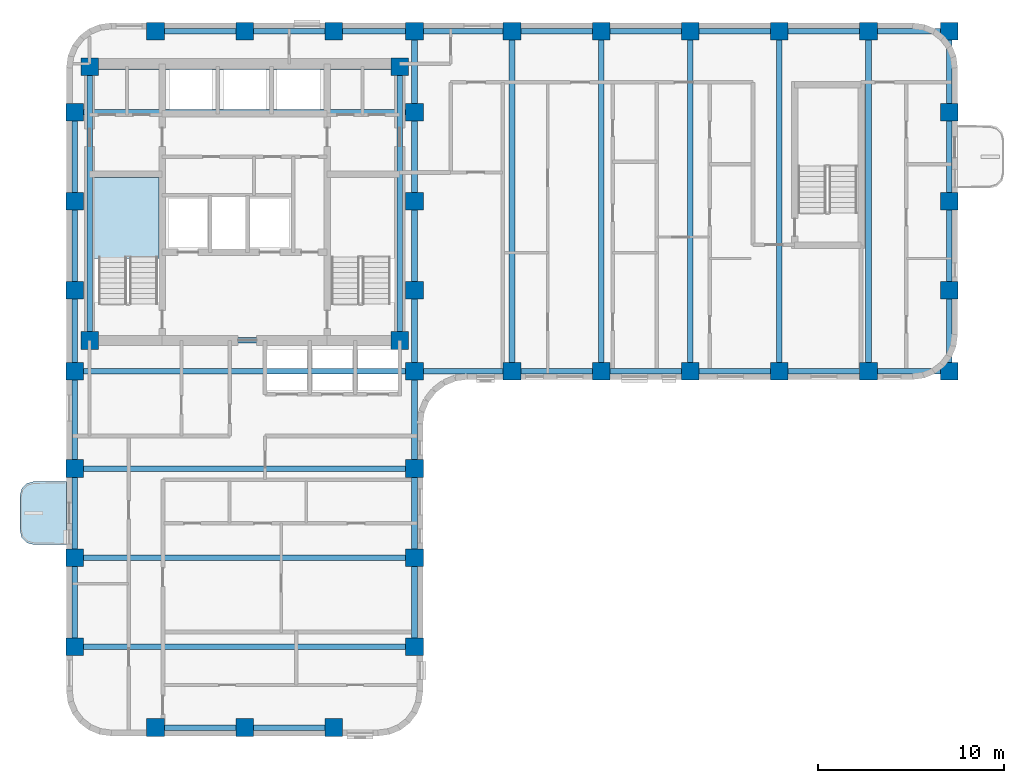
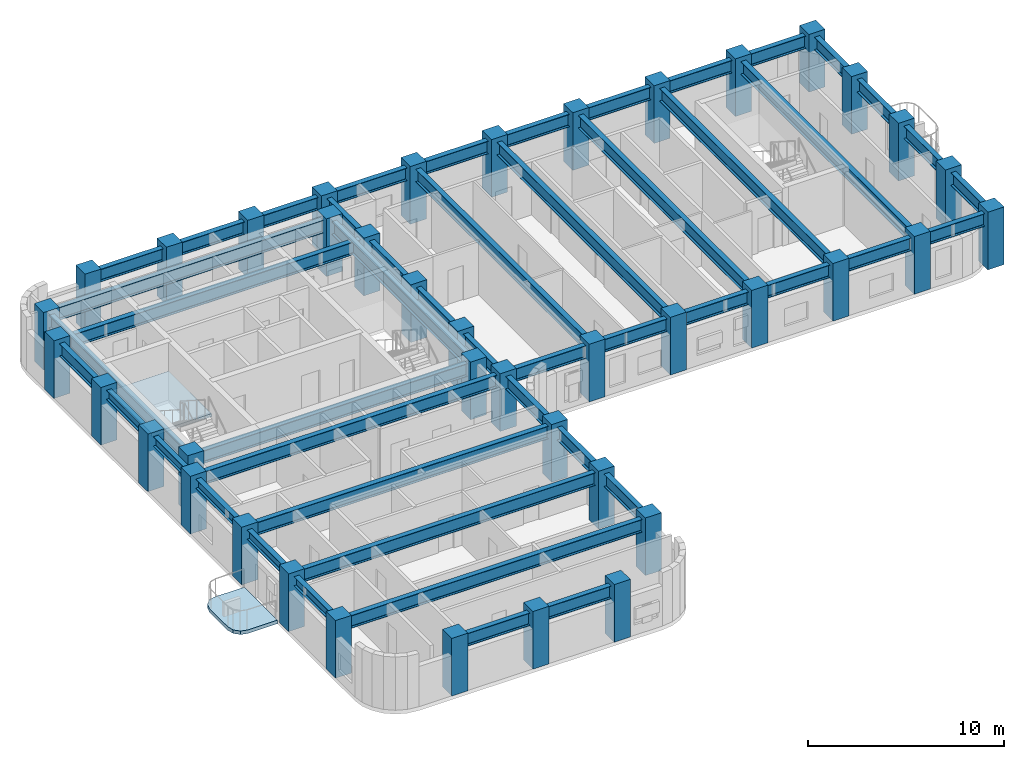
# One storey, part 1 of 10: 48 beams, 40 columns, 2 slabs, 1 element without a shape of its own.
"""IFC4 building model written with IfcOpenShell, lengths in metres."""

from ifc_helpers import new_model, si_unit, direction, frame, origin, origin_2d, place, context, subcontext, project, spatial, polyline, rectangle, i_section, outline, extrude, material, layer, layer_set, material_profile, profile_set, type_object, element, aggregate, save


model = new_model("IFC4")

# Units and contexts
model_context = context("Model", 3, precision=1e-05, world=origin(), true_north=direction((0.0, 1.0)))
body_context = subcontext(model_context, "Body", "Model", "MODEL_VIEW")
ifc_project = project(units=[si_unit("LENGTHUNIT", "METRE"), si_unit("AREAUNIT", "SQUARE_METRE"), si_unit("VOLUMEUNIT", "CUBIC_METRE"), si_unit("PLANEANGLEUNIT", "RADIAN"), si_unit("MASSUNIT", "GRAM", prefix="KILO")], contexts=[model_context])

# Site, building, storey
site_placement = place(None, origin())
site = spatial("IfcSite", under=ifc_project, at=site_placement, CompositionType="ELEMENT")
building_placement = place(site_placement, origin())
building = spatial("IfcBuilding", under=site, at=building_placement, Name="Orvandelia Arch Residences", CompositionType="ELEMENT")
storey_placement = place(building_placement, frame((0.0, 0.0, 150.39990234375)))
storey = spatial("IfcBuildingStorey", under=building, at=storey_placement, Name="L39", CompositionType="ELEMENT", Elevation=150.39990234375)

# Columns
ifc_material_1 = material(Name="Concrete C60/75", Category="concrete")
ifc_material_profile_1 = material_profile(ifc_material_1, rectangle(XDim=0.949951171875, YDim=0.949951171875, at=origin_2d()), Name="Concrete C60/75", Category="concrete")
ifc_profile_set_1 = profile_set([ifc_material_profile_1], Name="Concrete C60/75")
column_type = type_object("IfcColumnType", Name="COL-TWR-950", PredefinedType="COLUMN", material=ifc_profile_set_1)
for number, where, z_axis, x_axis, name in (
    (1, (5.25, 14.39990234375, 0.0), (0.0, 0.0, 1.0), (1.0, 0.0, 0.0), "Structural Column L39-W-W-144"),
    (2, (5.25, 19.199951171875, 0.0), (0.0, 0.0, 1.0), (1.0, 0.0, 0.0), "Structural Column L39-W-W-192"),
    (3, (5.25, 24.0, 0.0), (0.0, 0.0, 1.0), (1.0, 0.0, 0.0), "Structural Column L39-W-W-240"),
    (4, (5.25, 29.25, 0.0), (0.0, 0.0, 1.0), (1.0, 0.0, 0.0), "Structural Column L39-W-W-292"),
    (5, (5.25, 33.60009765625, 0.0), (0.0, 0.0, 1.0), (1.0, 0.0, 0.0), "Structural Column L39-W-W-336"),
    (6, (5.25, 38.39990234375, 0.0), (0.0, 0.0, 1.0), (1.0, 0.0, 0.0), "Structural Column L39-W-W-384"),
    (7, (5.25, 43.199951171875, 0.0), (0.0, 0.0, 1.0), (1.0, 0.0, 0.0), "Structural Column L39-W-W-432"),
    (8, (6.050048828125, 30.89990234375, 0.0), (0.0, 0.0, 1.0), (1.0, 0.0, 0.0), "Structural Column L39-CR-SW"),
    (9, (6.050048828125, 45.64990234375, 0.0), (0.0, 0.0, 1.0), (1.0, 0.0, 0.0), "Structural Column L39-CR-NW"),
    (10, (9.60009765625, 10.050048828125, 0.0), (0.0, 0.0, 1.0), (1.0, 0.0, 0.0), "Structural Column L39-W-S-96"),
    (11, (9.60009765625, 47.550048828125, 0.0), (0.0, 0.0, 1.0), (1.0, 0.0, 0.0), "Structural Column L39-W-N-96"),
    (12, (14.39990234375, 10.050048828125, 0.0), (0.0, 0.0, 1.0), (1.0, 0.0, 0.0), "Structural Column L39-W-S-144"),
    (13, (14.39990234375, 47.550048828125, 0.0), (0.0, 0.0, 1.0), (1.0, 0.0, 0.0), "Structural Column L39-W-N-144"),
    (14, (19.199951171875, 10.050048828125, 0.0), (0.0, 0.0, 1.0), (1.0, 0.0, 0.0), "Structural Column L39-W-S-192"),
    (15, (19.199951171875, 47.550048828125, 0.0), (0.0, 0.0, 1.0), (1.0, 0.0, 0.0), "Structural Column L39-W-N-192"),
    (16, (22.75, 30.89990234375, 0.0), (0.0, 0.0, 1.0), (1.0, 0.0, 0.0), "Structural Column L39-CR-SE"),
    (17, (22.75, 45.64990234375, 0.0), (0.0, 0.0, 1.0), (1.0, 0.0, 0.0), "Structural Column L39-CR-NE"),
    (18, (23.550048828125, 14.39990234375, 0.0), (0.0, 0.0, 1.0), (1.0, 0.0, 0.0), "Structural Column L39-W-E-144"),
    (19, (23.550048828125, 19.199951171875, 0.0), (0.0, 0.0, 1.0), (1.0, 0.0, 0.0), "Structural Column L39-W-E-192"),
    (20, (23.550048828125, 24.0, 0.0), (0.0, 0.0, 1.0), (1.0, 0.0, 0.0), "Structural Column L39-W-E-240"),
    (21, (23.550048828125, 29.25, 0.0), (0.0, 0.0, 1.0), (1.0, 0.0, 0.0), "Structural Column L39-W-E-292"),
    (22, (23.550048828125, 33.60009765625, 0.0), (0.0, 0.0, 1.0), (1.0, 0.0, 0.0), "Structural Column L39-W-E-336"),
    (23, (23.550048828125, 38.39990234375, 0.0), (0.0, 0.0, 1.0), (1.0, 0.0, 0.0), "Structural Column L39-W-E-384"),
    (24, (23.550048828125, 43.199951171875, 0.0), (0.0, 0.0, 1.0), (1.0, 0.0, 0.0), "Structural Column L39-W-E-432"),
    (25, (23.550048828125, 47.550048828125, 0.0), (0.0, 0.0, 1.0), (1.0, 0.0, 0.0), "Structural Column L39-W-N-235"),
    (26, (28.800048828125, 29.25, 0.0), (0.0, 0.0, 1.0), (1.0, 0.0, 0.0), "Structural Column L39-E-S-288"),
    (27, (28.800048828125, 47.550048828125, 0.0), (0.0, 0.0, 1.0), (1.0, 0.0, 0.0), "Structural Column L39-E-N-288"),
    (28, (33.60009765625, 29.25, 0.0), (0.0, 0.0, 1.0), (1.0, 0.0, 0.0), "Structural Column L39-E-S-336"),
    (29, (33.60009765625, 47.550048828125, 0.0), (0.0, 0.0, 1.0), (1.0, 0.0, 0.0), "Structural Column L39-E-N-336"),
    (30, (38.39990234375, 29.25, 0.0), (0.0, 0.0, 1.0), (1.0, 0.0, 0.0), "Structural Column L39-E-S-384"),
    (31, (38.39990234375, 47.550048828125, 0.0), (0.0, 0.0, 1.0), (1.0, 0.0, 0.0), "Structural Column L39-E-N-384"),
    (32, (43.199951171875, 29.25, 0.0), (0.0, 0.0, 1.0), (1.0, 0.0, 0.0), "Structural Column L39-E-S-432"),
    (33, (43.199951171875, 47.550048828125, 0.0), (0.0, 0.0, 1.0), (1.0, 0.0, 0.0), "Structural Column L39-E-N-432"),
    (34, (48.0, 29.25, 0.0), (0.0, 0.0, 1.0), (1.0, 0.0, 0.0), "Structural Column L39-E-S-480"),
    (35, (48.0, 47.550048828125, 0.0), (0.0, 0.0, 1.0), (1.0, 0.0, 0.0), "Structural Column L39-E-N-480"),
    (36, (52.35009765625, 29.25, 0.0), (0.0, 0.0, 1.0), (1.0, 0.0, 0.0), "Structural Column L39-E-S-523"),
    (37, (52.35009765625, 33.60009765625, 0.0), (0.0, 0.0, 1.0), (1.0, 0.0, 0.0), "Structural Column L39-E-523-336"),
    (38, (52.35009765625, 38.39990234375, 0.0), (0.0, 0.0, 1.0), (1.0, 0.0, 0.0), "Structural Column L39-E-523-384"),
    (39, (52.35009765625, 43.199951171875, 0.0), (0.0, 0.0, 1.0), (1.0, 0.0, 0.0), "Structural Column L39-E-523-432"),
    (40, (52.35009765625, 47.550048828125, 0.0), (0.0, 0.0, 1.0), (1.0, 0.0, 0.0), "Structural Column L39-E-N-523"),
):
    element("IfcColumn", number, at=place(storey_placement, frame(where, z_axis=z_axis, x_axis=x_axis)), inside=storey, type_object=column_type, Name=name, PredefinedType="COLUMN", context=body_context, shape_type="SweptSolid", body=[
        extrude(rectangle(XDim=0.949951171875, YDim=0.949951171875, at=origin_2d()), origin(), (0.0, 0.0, 1.0), 3.60009765625),
    ])

# Beams
ifc_material_2 = material(Name="Structural Steel SM355 (355 MPa)", Category="steel")
ifc_material_profile_2 = material_profile(ifc_material_2, i_section(OverallWidth=0.300048828125, OverallDepth=0.800048828125, WebThickness=0.013916015625, FlangeThickness=0.02587890625, FilletRadius=0.02587890625, at=origin_2d()), Name="Structural Steel SM355 (355 MPa)", Category="steel")
ifc_profile_set_2 = profile_set([ifc_material_profile_2], Name="Structural Steel SM355 (355 MPa)")
beam_type_1 = type_object("IfcBeamType", Name="BM-GRD-H800", PredefinedType="BEAM", material=ifc_profile_set_2)
beam_1_placement = place(storey_placement, frame((5.25, 38.39990234375, 2.920166015625), z_axis=(0.0, 1.0, 0.0), x_axis=(-1.0, 0.0, 0.0)))
element("IfcBeam", 41, at=beam_1_placement, inside=storey, type_object=beam_type_1, Name="Structural Frame Beam L39-NS-006", PredefinedType="BEAM", context=body_context, shape_type="SweptSolid", body=[
    extrude(i_section(OverallWidth=0.300048828125, OverallDepth=0.800048828125, WebThickness=0.013916015625, FlangeThickness=0.02587890625, FilletRadius=0.02587890625, at=origin_2d()), origin(), (0.0, 0.0, 1.0), 4.800048828125),
])
for number, where, z_axis, x_axis, name in (
    (42, (6.050048828125, 30.89990234375, 2.920166015625), (0.0, 1.0, 0.0), (-1.0, 0.0, 0.0), "Structural Frame Beam L39-NS-007"),
    (43, (22.75, 30.89990234375, 2.920166015625), (0.0, 1.0, 0.0), (-1.0, 0.0, 0.0), "Structural Frame Beam L39-NS-008"),
):
    element("IfcBeam", number, at=place(storey_placement, frame(where, z_axis=z_axis, x_axis=x_axis)), inside=storey, type_object=beam_type_1, Name=name, PredefinedType="BEAM", context=body_context, shape_type="SweptSolid", body=[
        extrude(i_section(OverallWidth=0.300048828125, OverallDepth=0.800048828125, WebThickness=0.013916015625, FlangeThickness=0.02587890625, FilletRadius=0.02587890625, at=origin_2d()), origin(), (0.0, 0.0, 1.0), 14.75),
    ])
for number, where, z_axis, x_axis, name in (
    (44, (23.550048828125, 14.39990234375, 2.920166015625), (0.0, 1.0, 0.0), (-1.0, 0.0, 0.0), "Structural Frame Beam L39-NS-009"),
    (45, (23.550048828125, 19.199951171875, 2.920166015625), (0.0, 1.0, 0.0), (-1.0, 0.0, 0.0), "Structural Frame Beam L39-NS-010"),
):
    element("IfcBeam", number, at=place(storey_placement, frame(where, z_axis=z_axis, x_axis=x_axis)), inside=storey, type_object=beam_type_1, Name=name, PredefinedType="BEAM", context=body_context, shape_type="SweptSolid", body=[
        extrude(i_section(OverallWidth=0.300048828125, OverallDepth=0.800048828125, WebThickness=0.013916015625, FlangeThickness=0.02587890625, FilletRadius=0.02587890625, at=origin_2d()), origin(), (0.0, 0.0, 1.0), 4.800048828125),
    ])
beam_2_placement = place(storey_placement, frame((23.550048828125, 24.0, 2.920166015625), z_axis=(0.0, 1.0, 0.0), x_axis=(-1.0, 0.0, 0.0)))
element("IfcBeam", 46, at=beam_2_placement, inside=storey, type_object=beam_type_1, Name="Structural Frame Beam L39-NS-011", PredefinedType="BEAM", context=body_context, shape_type="SweptSolid", body=[
    extrude(i_section(OverallWidth=0.300048828125, OverallDepth=0.800048828125, WebThickness=0.013916015625, FlangeThickness=0.02587890625, FilletRadius=0.02587890625, at=origin_2d()), origin(), (0.0, 0.0, 1.0), 5.25),
])
beam_3_placement = place(storey_placement, frame((23.550048828125, 29.25, 2.920166015625), z_axis=(0.0, 1.0, 0.0), x_axis=(-1.0, 0.0, 0.0)))
element("IfcBeam", 47, at=beam_3_placement, inside=storey, type_object=beam_type_1, Name="Structural Frame Beam L39-NS-012", PredefinedType="BEAM", context=body_context, shape_type="SweptSolid", body=[
    extrude(i_section(OverallWidth=0.300048828125, OverallDepth=0.800048828125, WebThickness=0.013916015625, FlangeThickness=0.02587890625, FilletRadius=0.02587890625, at=origin_2d()), origin(), (0.0, 0.0, 1.0), 4.35009765625),
])
beam_4_placement = place(storey_placement, frame((23.550048828125, 33.60009765625, 2.920166015625), z_axis=(0.0, 1.0, 0.0), x_axis=(-1.0, 0.0, 0.0)))
element("IfcBeam", 48, at=beam_4_placement, inside=storey, type_object=beam_type_1, Name="Structural Frame Beam L39-NS-013", PredefinedType="BEAM", context=body_context, shape_type="SweptSolid", body=[
    extrude(i_section(OverallWidth=0.300048828125, OverallDepth=0.800048828125, WebThickness=0.013916015625, FlangeThickness=0.02587890625, FilletRadius=0.02587890625, at=origin_2d()), origin(), (0.0, 0.0, 1.0), 4.7998046875),
])
beam_5_placement = place(storey_placement, frame((23.550048828125, 38.39990234375, 2.920166015625), z_axis=(0.0, 1.0, 0.0), x_axis=(-1.0, 0.0, 0.0)))
element("IfcBeam", 49, at=beam_5_placement, inside=storey, type_object=beam_type_1, Name="Structural Frame Beam L39-NS-014", PredefinedType="BEAM", context=body_context, shape_type="SweptSolid", body=[
    extrude(i_section(OverallWidth=0.300048828125, OverallDepth=0.800048828125, WebThickness=0.013916015625, FlangeThickness=0.02587890625, FilletRadius=0.02587890625, at=origin_2d()), origin(), (0.0, 0.0, 1.0), 4.800048828125),
])
beam_6_placement = place(storey_placement, frame((23.550048828125, 43.199951171875, 2.920166015625), z_axis=(0.0, 1.0, 0.0), x_axis=(-1.0, 0.0, 0.0)))
element("IfcBeam", 50, at=beam_6_placement, inside=storey, type_object=beam_type_1, Name="Structural Frame Beam L39-NS-015", PredefinedType="BEAM", context=body_context, shape_type="SweptSolid", body=[
    extrude(i_section(OverallWidth=0.300048828125, OverallDepth=0.800048828125, WebThickness=0.013916015625, FlangeThickness=0.02587890625, FilletRadius=0.02587890625, at=origin_2d()), origin(), (0.0, 0.0, 1.0), 4.35009765625),
])
for number, where, z_axis, x_axis, name in (
    (51, (28.800048828125, 29.25, 2.920166015625), (0.0, 1.0, 0.0), (-1.0, 0.0, 0.0), "Structural Frame Beam L39-NS-016"),
    (52, (33.60009765625, 29.25, 2.920166015625), (0.0, 1.0, 0.0), (-1.0, 0.0, 0.0), "Structural Frame Beam L39-NS-017"),
    (53, (38.39990234375, 29.25, 2.920166015625), (0.0, 1.0, 0.0), (-1.0, 0.0, 0.0), "Structural Frame Beam L39-NS-018"),
    (54, (43.199951171875, 29.25, 2.920166015625), (0.0, 1.0, 0.0), (-1.0, 0.0, 0.0), "Structural Frame Beam L39-NS-019"),
    (55, (48.0, 29.25, 2.920166015625), (0.0, 1.0, 0.0), (-1.0, 0.0, 0.0), "Structural Frame Beam L39-NS-020"),
):
    element("IfcBeam", number, at=place(storey_placement, frame(where, z_axis=z_axis, x_axis=x_axis)), inside=storey, type_object=beam_type_1, Name=name, PredefinedType="BEAM", context=body_context, shape_type="SweptSolid", body=[
        extrude(i_section(OverallWidth=0.300048828125, OverallDepth=0.800048828125, WebThickness=0.013916015625, FlangeThickness=0.02587890625, FilletRadius=0.02587890625, at=origin_2d()), origin(), (0.0, 0.0, 1.0), 18.300048828125),
    ])
beam_7_placement = place(storey_placement, frame((52.35009765625, 29.25, 2.920166015625), z_axis=(0.0, 1.0, 0.0), x_axis=(-1.0, 0.0, 0.0)))
element("IfcBeam", 56, at=beam_7_placement, inside=storey, type_object=beam_type_1, Name="Structural Frame Beam L39-NS-021", PredefinedType="BEAM", context=body_context, shape_type="SweptSolid", body=[
    extrude(i_section(OverallWidth=0.300048828125, OverallDepth=0.800048828125, WebThickness=0.013916015625, FlangeThickness=0.02587890625, FilletRadius=0.02587890625, at=origin_2d()), origin(), (0.0, 0.0, 1.0), 4.35009765625),
])
beam_8_placement = place(storey_placement, frame((52.35009765625, 33.60009765625, 2.920166015625), z_axis=(0.0, 1.0, 0.0), x_axis=(-1.0, 0.0, 0.0)))
element("IfcBeam", 57, at=beam_8_placement, inside=storey, type_object=beam_type_1, Name="Structural Frame Beam L39-NS-022", PredefinedType="BEAM", context=body_context, shape_type="SweptSolid", body=[
    extrude(i_section(OverallWidth=0.300048828125, OverallDepth=0.800048828125, WebThickness=0.013916015625, FlangeThickness=0.02587890625, FilletRadius=0.02587890625, at=origin_2d()), origin(), (0.0, 0.0, 1.0), 4.7998046875),
])
beam_9_placement = place(storey_placement, frame((52.35009765625, 38.39990234375, 2.920166015625), z_axis=(0.0, 1.0, 0.0), x_axis=(-1.0, 0.0, 0.0)))
element("IfcBeam", 58, at=beam_9_placement, inside=storey, type_object=beam_type_1, Name="Structural Frame Beam L39-NS-023", PredefinedType="BEAM", context=body_context, shape_type="SweptSolid", body=[
    extrude(i_section(OverallWidth=0.300048828125, OverallDepth=0.800048828125, WebThickness=0.013916015625, FlangeThickness=0.02587890625, FilletRadius=0.02587890625, at=origin_2d()), origin(), (0.0, 0.0, 1.0), 4.800048828125),
])
beam_10_placement = place(storey_placement, frame((52.35009765625, 43.199951171875, 2.920166015625), z_axis=(0.0, 1.0, 0.0), x_axis=(-1.0, 0.0, 0.0)))
element("IfcBeam", 59, at=beam_10_placement, inside=storey, type_object=beam_type_1, Name="Structural Frame Beam L39-NS-024", PredefinedType="BEAM", context=body_context, shape_type="SweptSolid", body=[
    extrude(i_section(OverallWidth=0.300048828125, OverallDepth=0.800048828125, WebThickness=0.013916015625, FlangeThickness=0.02587890625, FilletRadius=0.02587890625, at=origin_2d()), origin(), (0.0, 0.0, 1.0), 4.35009765625),
])
beam_11_placement = place(storey_placement, frame((9.60009765625, 10.050048828125, 2.920166015625), z_axis=(1.0, 0.0, 0.0), x_axis=(0.0, 1.0, 0.0)))
element("IfcBeam", 60, at=beam_11_placement, inside=storey, type_object=beam_type_1, Name="Structural Frame Girder L39-EW-025", PredefinedType="BEAM", context=body_context, shape_type="SweptSolid", body=[
    extrude(i_section(OverallWidth=0.300048828125, OverallDepth=0.800048828125, WebThickness=0.013916015625, FlangeThickness=0.02587890625, FilletRadius=0.02587890625, at=origin_2d()), origin(), (0.0, 0.0, 1.0), 4.7998046875),
])
beam_12_placement = place(storey_placement, frame((14.39990234375, 10.050048828125, 2.920166015625), z_axis=(1.0, 0.0, 0.0), x_axis=(0.0, 1.0, 0.0)))
element("IfcBeam", 61, at=beam_12_placement, inside=storey, type_object=beam_type_1, Name="Structural Frame Girder L39-EW-026", PredefinedType="BEAM", context=body_context, shape_type="SweptSolid", body=[
    extrude(i_section(OverallWidth=0.300048828125, OverallDepth=0.800048828125, WebThickness=0.013916015625, FlangeThickness=0.02587890625, FilletRadius=0.02587890625, at=origin_2d()), origin(), (0.0, 0.0, 1.0), 4.800048828125),
])
for number, where, z_axis, x_axis, name in (
    (62, (5.25, 14.39990234375, 2.920166015625), (1.0, 0.0, 0.0), (0.0, 1.0, 0.0), "Structural Frame Girder L39-EW-027"),
    (63, (5.25, 19.199951171875, 2.920166015625), (1.0, 0.0, 0.0), (0.0, 1.0, 0.0), "Structural Frame Girder L39-EW-028"),
    (64, (5.25, 24.0, 2.920166015625), (1.0, 0.0, 0.0), (0.0, 1.0, 0.0), "Structural Frame Girder L39-EW-029"),
    (65, (5.25, 29.25, 2.920166015625), (1.0, 0.0, 0.0), (0.0, 1.0, 0.0), "Structural Frame Girder L39-EW-030"),
):
    element("IfcBeam", number, at=place(storey_placement, frame(where, z_axis=z_axis, x_axis=x_axis)), inside=storey, type_object=beam_type_1, Name=name, PredefinedType="BEAM", context=body_context, shape_type="SweptSolid", body=[
        extrude(i_section(OverallWidth=0.300048828125, OverallDepth=0.800048828125, WebThickness=0.013916015625, FlangeThickness=0.02587890625, FilletRadius=0.02587890625, at=origin_2d()), origin(), (0.0, 0.0, 1.0), 18.300048828125),
    ])
beam_13_placement = place(storey_placement, frame((23.550048828125, 29.25, 2.920166015625), z_axis=(1.0, 0.0, 0.0), x_axis=(0.0, 1.0, 0.0)))
element("IfcBeam", 66, at=beam_13_placement, inside=storey, type_object=beam_type_1, Name="Structural Frame Girder L39-EW-031", PredefinedType="BEAM", context=body_context, shape_type="SweptSolid", body=[
    extrude(i_section(OverallWidth=0.300048828125, OverallDepth=0.800048828125, WebThickness=0.013916015625, FlangeThickness=0.02587890625, FilletRadius=0.02587890625, at=origin_2d()), origin(), (0.0, 0.0, 1.0), 5.25),
])
beam_14_placement = place(storey_placement, frame((28.800048828125, 29.25, 2.920166015625), z_axis=(1.0, 0.0, 0.0), x_axis=(0.0, 1.0, 0.0)))
element("IfcBeam", 67, at=beam_14_placement, inside=storey, type_object=beam_type_1, Name="Structural Frame Girder L39-EW-032", PredefinedType="BEAM", context=body_context, shape_type="SweptSolid", body=[
    extrude(i_section(OverallWidth=0.300048828125, OverallDepth=0.800048828125, WebThickness=0.013916015625, FlangeThickness=0.02587890625, FilletRadius=0.02587890625, at=origin_2d()), origin(), (0.0, 0.0, 1.0), 4.800048828125),
])
beam_15_placement = place(storey_placement, frame((33.60009765625, 29.25, 2.920166015625), z_axis=(1.0, 0.0, 0.0), x_axis=(0.0, 1.0, 0.0)))
element("IfcBeam", 68, at=beam_15_placement, inside=storey, type_object=beam_type_1, Name="Structural Frame Girder L39-EW-033", PredefinedType="BEAM", context=body_context, shape_type="SweptSolid", body=[
    extrude(i_section(OverallWidth=0.300048828125, OverallDepth=0.800048828125, WebThickness=0.013916015625, FlangeThickness=0.02587890625, FilletRadius=0.02587890625, at=origin_2d()), origin(), (0.0, 0.0, 1.0), 4.7998046875),
])
for number, where, z_axis, x_axis, name in (
    (69, (38.39990234375, 29.25, 2.920166015625), (1.0, 0.0, 0.0), (0.0, 1.0, 0.0), "Structural Frame Girder L39-EW-034"),
    (70, (43.199951171875, 29.25, 2.920166015625), (1.0, 0.0, 0.0), (0.0, 1.0, 0.0), "Structural Frame Girder L39-EW-035"),
):
    element("IfcBeam", number, at=place(storey_placement, frame(where, z_axis=z_axis, x_axis=x_axis)), inside=storey, type_object=beam_type_1, Name=name, PredefinedType="BEAM", context=body_context, shape_type="SweptSolid", body=[
        extrude(i_section(OverallWidth=0.300048828125, OverallDepth=0.800048828125, WebThickness=0.013916015625, FlangeThickness=0.02587890625, FilletRadius=0.02587890625, at=origin_2d()), origin(), (0.0, 0.0, 1.0), 4.800048828125),
    ])
beam_16_placement = place(storey_placement, frame((48.0, 29.25, 2.920166015625), z_axis=(1.0, 0.0, 0.0), x_axis=(0.0, 1.0, 0.0)))
element("IfcBeam", 71, at=beam_16_placement, inside=storey, type_object=beam_type_1, Name="Structural Frame Girder L39-EW-036", PredefinedType="BEAM", context=body_context, shape_type="SweptSolid", body=[
    extrude(i_section(OverallWidth=0.300048828125, OverallDepth=0.800048828125, WebThickness=0.013916015625, FlangeThickness=0.02587890625, FilletRadius=0.02587890625, at=origin_2d()), origin(), (0.0, 0.0, 1.0), 4.35009765625),
])
beam_17_placement = place(storey_placement, frame((6.050048828125, 30.89990234375, 2.920166015625), z_axis=(1.0, 0.0, 0.0), x_axis=(0.0, 1.0, 0.0)))
element("IfcBeam", 72, at=beam_17_placement, inside=storey, type_object=beam_type_1, Name="Structural Frame Girder L39-EW-037", PredefinedType="BEAM", context=body_context, shape_type="SweptSolid", body=[
    extrude(i_section(OverallWidth=0.300048828125, OverallDepth=0.800048828125, WebThickness=0.013916015625, FlangeThickness=0.02587890625, FilletRadius=0.02587890625, at=origin_2d()), origin(), (0.0, 0.0, 1.0), 16.699951171875),
])
beam_18_placement = place(storey_placement, frame((5.25, 43.199951171875, 2.920166015625), z_axis=(1.0, 0.0, 0.0), x_axis=(0.0, 1.0, 0.0)))
element("IfcBeam", 73, at=beam_18_placement, inside=storey, type_object=beam_type_1, Name="Structural Frame Girder L39-EW-040", PredefinedType="BEAM", context=body_context, shape_type="SweptSolid", body=[
    extrude(i_section(OverallWidth=0.300048828125, OverallDepth=0.800048828125, WebThickness=0.013916015625, FlangeThickness=0.02587890625, FilletRadius=0.02587890625, at=origin_2d()), origin(), (0.0, 0.0, 1.0), 18.300048828125),
])
beam_19_placement = place(storey_placement, frame((6.050048828125, 45.64990234375, 2.920166015625), z_axis=(1.0, 0.0, 0.0), x_axis=(0.0, 1.0, 0.0)))
element("IfcBeam", 74, at=beam_19_placement, inside=storey, type_object=beam_type_1, Name="Structural Frame Girder L39-EW-041", PredefinedType="BEAM", context=body_context, shape_type="SweptSolid", body=[
    extrude(i_section(OverallWidth=0.300048828125, OverallDepth=0.800048828125, WebThickness=0.013916015625, FlangeThickness=0.02587890625, FilletRadius=0.02587890625, at=origin_2d()), origin(), (0.0, 0.0, 1.0), 16.699951171875),
])
beam_20_placement = place(storey_placement, frame((9.60009765625, 47.550048828125, 2.920166015625), z_axis=(1.0, 0.0, 0.0), x_axis=(0.0, 1.0, 0.0)))
element("IfcBeam", 75, at=beam_20_placement, inside=storey, type_object=beam_type_1, Name="Structural Frame Girder L39-EW-042", PredefinedType="BEAM", context=body_context, shape_type="SweptSolid", body=[
    extrude(i_section(OverallWidth=0.300048828125, OverallDepth=0.800048828125, WebThickness=0.013916015625, FlangeThickness=0.02587890625, FilletRadius=0.02587890625, at=origin_2d()), origin(), (0.0, 0.0, 1.0), 4.7998046875),
])
beam_21_placement = place(storey_placement, frame((14.39990234375, 47.550048828125, 2.920166015625), z_axis=(1.0, 0.0, 0.0), x_axis=(0.0, 1.0, 0.0)))
element("IfcBeam", 76, at=beam_21_placement, inside=storey, type_object=beam_type_1, Name="Structural Frame Girder L39-EW-043", PredefinedType="BEAM", context=body_context, shape_type="SweptSolid", body=[
    extrude(i_section(OverallWidth=0.300048828125, OverallDepth=0.800048828125, WebThickness=0.013916015625, FlangeThickness=0.02587890625, FilletRadius=0.02587890625, at=origin_2d()), origin(), (0.0, 0.0, 1.0), 4.800048828125),
])
beam_22_placement = place(storey_placement, frame((19.199951171875, 47.550048828125, 2.920166015625), z_axis=(1.0, 0.0, 0.0), x_axis=(0.0, 1.0, 0.0)))
element("IfcBeam", 77, at=beam_22_placement, inside=storey, type_object=beam_type_1, Name="Structural Frame Girder L39-EW-044", PredefinedType="BEAM", context=body_context, shape_type="SweptSolid", body=[
    extrude(i_section(OverallWidth=0.300048828125, OverallDepth=0.800048828125, WebThickness=0.013916015625, FlangeThickness=0.02587890625, FilletRadius=0.02587890625, at=origin_2d()), origin(), (0.0, 0.0, 1.0), 4.35009765625),
])
beam_23_placement = place(storey_placement, frame((23.550048828125, 47.550048828125, 2.920166015625), z_axis=(1.0, 0.0, 0.0), x_axis=(0.0, 1.0, 0.0)))
element("IfcBeam", 78, at=beam_23_placement, inside=storey, type_object=beam_type_1, Name="Structural Frame Girder L39-EW-045", PredefinedType="BEAM", context=body_context, shape_type="SweptSolid", body=[
    extrude(i_section(OverallWidth=0.300048828125, OverallDepth=0.800048828125, WebThickness=0.013916015625, FlangeThickness=0.02587890625, FilletRadius=0.02587890625, at=origin_2d()), origin(), (0.0, 0.0, 1.0), 5.25),
])
beam_24_placement = place(storey_placement, frame((28.800048828125, 47.550048828125, 2.920166015625), z_axis=(1.0, 0.0, 0.0), x_axis=(0.0, 1.0, 0.0)))
element("IfcBeam", 79, at=beam_24_placement, inside=storey, type_object=beam_type_1, Name="Structural Frame Girder L39-EW-046", PredefinedType="BEAM", context=body_context, shape_type="SweptSolid", body=[
    extrude(i_section(OverallWidth=0.300048828125, OverallDepth=0.800048828125, WebThickness=0.013916015625, FlangeThickness=0.02587890625, FilletRadius=0.02587890625, at=origin_2d()), origin(), (0.0, 0.0, 1.0), 4.800048828125),
])
beam_25_placement = place(storey_placement, frame((33.60009765625, 47.550048828125, 2.920166015625), z_axis=(1.0, 0.0, 0.0), x_axis=(0.0, 1.0, 0.0)))
element("IfcBeam", 80, at=beam_25_placement, inside=storey, type_object=beam_type_1, Name="Structural Frame Girder L39-EW-047", PredefinedType="BEAM", context=body_context, shape_type="SweptSolid", body=[
    extrude(i_section(OverallWidth=0.300048828125, OverallDepth=0.800048828125, WebThickness=0.013916015625, FlangeThickness=0.02587890625, FilletRadius=0.02587890625, at=origin_2d()), origin(), (0.0, 0.0, 1.0), 4.7998046875),
])
for number, where, z_axis, x_axis, name in (
    (81, (38.39990234375, 47.550048828125, 2.920166015625), (1.0, 0.0, 0.0), (0.0, 1.0, 0.0), "Structural Frame Girder L39-EW-048"),
    (82, (43.199951171875, 47.550048828125, 2.920166015625), (1.0, 0.0, 0.0), (0.0, 1.0, 0.0), "Structural Frame Girder L39-EW-049"),
):
    element("IfcBeam", number, at=place(storey_placement, frame(where, z_axis=z_axis, x_axis=x_axis)), inside=storey, type_object=beam_type_1, Name=name, PredefinedType="BEAM", context=body_context, shape_type="SweptSolid", body=[
        extrude(i_section(OverallWidth=0.300048828125, OverallDepth=0.800048828125, WebThickness=0.013916015625, FlangeThickness=0.02587890625, FilletRadius=0.02587890625, at=origin_2d()), origin(), (0.0, 0.0, 1.0), 4.800048828125),
    ])
beam_26_placement = place(storey_placement, frame((48.0, 47.550048828125, 2.920166015625), z_axis=(1.0, 0.0, 0.0), x_axis=(0.0, 1.0, 0.0)))
element("IfcBeam", 83, at=beam_26_placement, inside=storey, type_object=beam_type_1, Name="Structural Frame Girder L39-EW-050", PredefinedType="BEAM", context=body_context, shape_type="SweptSolid", body=[
    extrude(i_section(OverallWidth=0.300048828125, OverallDepth=0.800048828125, WebThickness=0.013916015625, FlangeThickness=0.02587890625, FilletRadius=0.02587890625, at=origin_2d()), origin(), (0.0, 0.0, 1.0), 4.35009765625),
])
ifc_material_profile_3 = material_profile(ifc_material_2, i_section(OverallWidth=0.300048828125, OverallDepth=0.587890625, WebThickness=0.011962890625, FlangeThickness=0.02001953125, FilletRadius=0.02197265625, at=origin_2d()), Name="Structural Steel SM355 (355 MPa)", Category="steel")
ifc_profile_set_3 = profile_set([ifc_material_profile_3], Name="Structural Steel SM355 (355 MPa)")
beam_type_2 = type_object("IfcBeamType", Name="BM-SPN-H588", PredefinedType="SPANDREL", material=ifc_profile_set_3)
for number, where, z_axis, x_axis, name in (
    (84, (5.25, 14.39990234375, 3.026123046875), (0.0, 1.0, 0.0), (-1.0, 0.0, 0.0), "Structural Frame Beam L39-NS-001"),
    (85, (5.25, 19.199951171875, 3.026123046875), (0.0, 1.0, 0.0), (-1.0, 0.0, 0.0), "Structural Frame Beam L39-NS-002"),
):
    element("IfcBeam", number, at=place(storey_placement, frame(where, z_axis=z_axis, x_axis=x_axis)), inside=storey, type_object=beam_type_2, Name=name, PredefinedType="SPANDREL", context=body_context, shape_type="SweptSolid", body=[
        extrude(i_section(OverallWidth=0.300048828125, OverallDepth=0.587890625, WebThickness=0.011962890625, FlangeThickness=0.02001953125, FilletRadius=0.02197265625, at=origin_2d()), origin(), (0.0, 0.0, 1.0), 4.800048828125),
    ])
beam_27_placement = place(storey_placement, frame((5.25, 24.0, 3.026123046875), z_axis=(0.0, 1.0, 0.0), x_axis=(-1.0, 0.0, 0.0)))
element("IfcBeam", 86, at=beam_27_placement, inside=storey, type_object=beam_type_2, Name="Structural Frame Beam L39-NS-003", PredefinedType="SPANDREL", context=body_context, shape_type="SweptSolid", body=[
    extrude(i_section(OverallWidth=0.300048828125, OverallDepth=0.587890625, WebThickness=0.011962890625, FlangeThickness=0.02001953125, FilletRadius=0.02197265625, at=origin_2d()), origin(), (0.0, 0.0, 1.0), 5.25),
])
beam_28_placement = place(storey_placement, frame((5.25, 29.25, 3.026123046875), z_axis=(0.0, 1.0, 0.0), x_axis=(-1.0, 0.0, 0.0)))
element("IfcBeam", 87, at=beam_28_placement, inside=storey, type_object=beam_type_2, Name="Structural Frame Beam L39-NS-004", PredefinedType="SPANDREL", context=body_context, shape_type="SweptSolid", body=[
    extrude(i_section(OverallWidth=0.300048828125, OverallDepth=0.587890625, WebThickness=0.011962890625, FlangeThickness=0.02001953125, FilletRadius=0.02197265625, at=origin_2d()), origin(), (0.0, 0.0, 1.0), 4.35009765625),
])
beam_29_placement = place(storey_placement, frame((5.25, 33.60009765625, 3.026123046875), z_axis=(0.0, 1.0, 0.0), x_axis=(-1.0, 0.0, 0.0)))
element("IfcBeam", 88, at=beam_29_placement, inside=storey, type_object=beam_type_2, Name="Structural Frame Beam L39-NS-005", PredefinedType="SPANDREL", context=body_context, shape_type="SweptSolid", body=[
    extrude(i_section(OverallWidth=0.300048828125, OverallDepth=0.587890625, WebThickness=0.011962890625, FlangeThickness=0.02001953125, FilletRadius=0.02197265625, at=origin_2d()), origin(), (0.0, 0.0, 1.0), 4.7998046875),
])

# Slab
ifc_material_3 = material(Name="Precast concrete C40/50", Category="concrete")
ifc_layer_1 = layer(ifc_material_3, 0.219970703125, Name="Precast concrete C40/50", Category="concrete")
ifc_layer_set_1 = layer_set([ifc_layer_1], Name="Precast concrete C40/50")
slab_type_1 = type_object("IfcSlabType", Name="SLB-BAL-220", PredefinedType="USERDEFINED", material=ifc_layer_set_1)
slab_1_placement = place(storey_placement, frame((0.0, 0.0, -0.219970703125)))
element("IfcSlab", 89, at=slab_1_placement, inside=storey, type_object=slab_type_1, Name="Tree Balcony Cantilever Slab BAL-L39-W1", ObjectType="BALCONY", PredefinedType="USERDEFINED", context=body_context, shape_type="SweptSolid", body=[
    extrude(outline(polyline([(4.800048828125, 19.89990234375), (4.800048828125, 23.300048828125), (3.050048828125, 23.300048828125), (2.675048828125, 23.199462890625), (2.400390625, 22.925048828125), (2.300048828125, 22.550048828125), (2.300048828125, 20.64990234375), (2.400390625, 20.27490234375), (2.675048828125, 20.00048828125), (3.050048828125, 19.89990234375), (4.800048828125, 19.89990234375)])), origin(), (0.0, 0.0, 1.0), 0.219970703125),
])

# Stair, slab
ifc_material_4 = material(Name="Concrete C40/50", Category="concrete")
stair_type = type_object("IfcStairType", Name="STAIR-RC-DOGLEG", PredefinedType="HALF_TURN_STAIR", material=ifc_material_4)
stair_placement = place(storey_placement, origin())
stair = element("IfcStair", 90, at=stair_placement, inside=storey, type_object=stair_type, Name="L39 Protected Exit Stair ST-1", PredefinedType="HALF_TURN_STAIR")
ifc_layer_2 = layer(ifc_material_4, 0.219970703125, Name="Concrete C40/50", Category="concrete")
ifc_layer_set_2 = layer_set([ifc_layer_2], Name="Concrete C40/50")
slab_type_2 = type_object("IfcSlabType", Name="SLB-LANDING-220", PredefinedType="LANDING", material=ifc_layer_set_2)
slab_2_placement = place(storey_placement, frame((0.0, 0.0, 1.60009765625)))
slab_2 = element("IfcSlab", 91, at=slab_2_placement, type_object=slab_type_2, Name="ST-1 landing 1", PredefinedType="LANDING", context=body_context, shape_type="SweptSolid", body=[
    extrude(outline(polyline([(9.800048828125, 35.31005859375), (9.800048828125, 39.68994140625), (6.260009765625, 39.68994140625), (6.260009765625, 35.31005859375), (9.800048828125, 35.31005859375)])), origin(), (0.0, 0.0, 1.0), 0.199951171875),
])
aggregate(stair, [slab_2])

save(model, "model.ifc")
